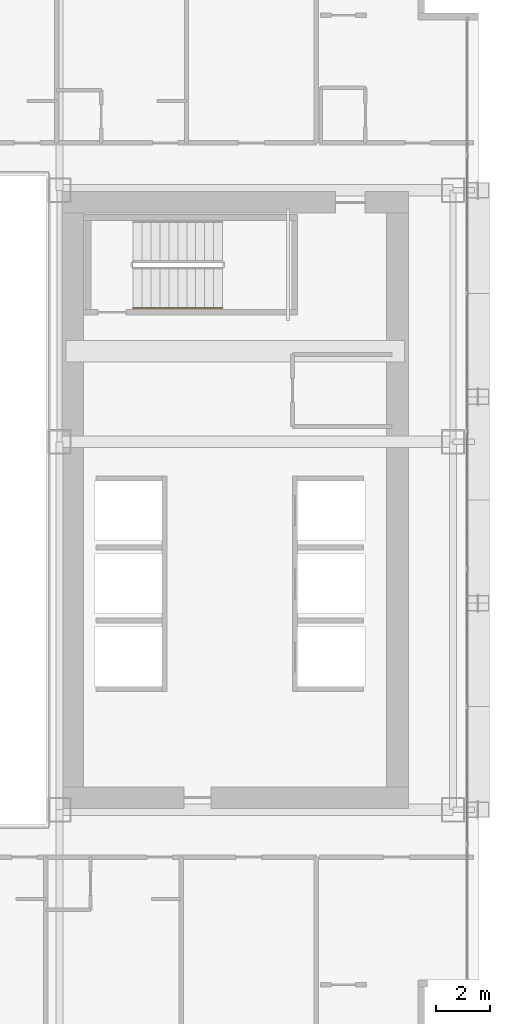
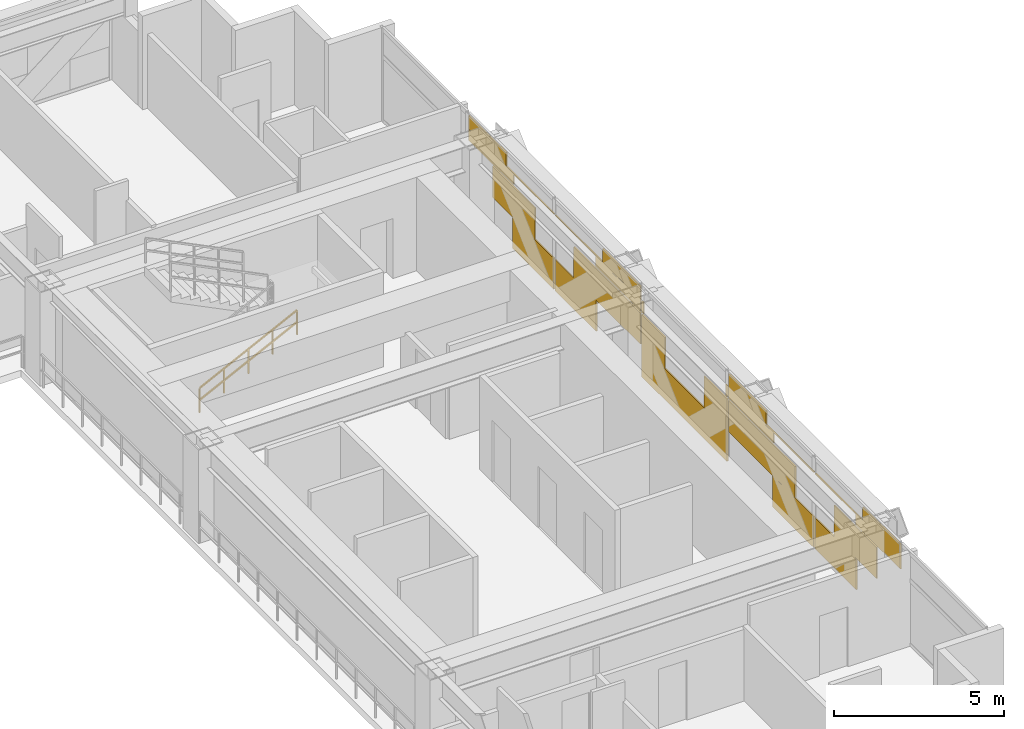
# One storey, part 37 of 38: 1 covering, 1 railing.
"""IFC4 building model written with IfcOpenShell, lengths in metres."""

from ifc_helpers import new_model, si_unit, direction, frame, origin, origin_2d, place, context, subcontext, project, spatial, rectangle, extrude, material, layer, layer_set, type_object, element, save


model = new_model("IFC4")

# Units and contexts
model_context = context("Model", 3, precision=1e-05, world=origin(), true_north=direction((0.0, 1.0)))
body_context = subcontext(model_context, "Body", "Model", "MODEL_VIEW")
ifc_project = project(units=[si_unit("LENGTHUNIT", "METRE"), si_unit("AREAUNIT", "SQUARE_METRE"), si_unit("VOLUMEUNIT", "CUBIC_METRE"), si_unit("PLANEANGLEUNIT", "RADIAN"), si_unit("MASSUNIT", "GRAM", prefix="KILO")], contexts=[model_context])

# Site, building, storey
site_placement = place(None, origin())
site = spatial("IfcSite", under=ifc_project, at=site_placement, CompositionType="ELEMENT")
building_placement = place(site_placement, origin())
building = spatial("IfcBuilding", under=site, at=building_placement, Name="Ocotamira Hotel", CompositionType="ELEMENT")
storey_placement = place(building_placement, frame((0.0, 0.0, 74.39990234375)))
storey = spatial("IfcBuildingStorey", under=building, at=storey_placement, Name="L18", CompositionType="ELEMENT", Elevation=74.39990234375)

# Covering
ifc_material_1 = material(Name="Insulated pale-metal aluminium spandrel panel", Category="aluminium")
ifc_layer = layer(ifc_material_1, 0.044921875)
ifc_layer_set = layer_set([ifc_layer], Name="Insulated pale-metal aluminium spandrel panel")
covering_type = type_object("IfcCoveringType", Name="COV-INFILL-45", PredefinedType="CLADDING", material=ifc_layer_set)
covering_placement = place(storey_placement, origin())
element("IfcCovering", 1, at=covering_placement, inside=storey, type_object=covering_type, Name="L18 Curtain Wall Infill CW-2 CW-L18-E", PredefinedType="CLADDING", context=body_context, shape_type="SweptSolid", body=[
    extrude(rectangle(XDim=2.49658203125, YDim=0.044921875, at=origin_2d()), frame((55.580078125, 15.977783203125, 1.1943359375), z_axis=(0.0, 0.0, 1.0), x_axis=(0.0, 1.0, 0.0)), (0.0, 0.0, 1.0), 1.117919921875),
    extrude(rectangle(XDim=2.415283203125, YDim=0.044921875, at=origin_2d()), frame((55.580078125, 17.123291015625, 0.07568359375), z_axis=(0.0, 0.0, 1.0), x_axis=(0.0, 1.0, 0.0)), (0.0, 0.0, 1.0), 1.117919921875),
    extrude(rectangle(XDim=2.634521484375, YDim=0.044921875, at=origin_2d()), frame((55.580078125, 14.6435546875, 2.38818359375), z_axis=(0.0, 0.0, 1.0), x_axis=(0.0, 1.0, 0.0)), (0.0, 0.0, 1.0), 0.366943359375),
    extrude(rectangle(XDim=5.004638671875, YDim=0.044921875, at=origin_2d()), frame((55.580078125, 15.82861328125, 2.756103515625), z_axis=(0.0, 0.0, 1.0), x_axis=(0.0, 1.0, 0.0)), (0.0, 0.0, 1.0), 0.033203125),
    extrude(rectangle(XDim=2.2080078125, YDim=0.044921875, at=origin_2d()), frame((55.580078125, 14.43017578125, 2.79052734375), z_axis=(0.0, 0.0, 1.0), x_axis=(0.0, 1.0, 0.0)), (0.0, 0.0, 1.0), 0.484130859375),
    extrude(rectangle(XDim=2.40576171875, YDim=0.044921875, at=origin_2d()), frame((55.580078125, 19.61474609375, 0.07568359375), z_axis=(0.0, 0.0, 1.0), x_axis=(0.0, 1.0, 0.0)), (0.0, 0.0, 1.0), 1.117919921875),
    extrude(rectangle(XDim=3.90966796875, YDim=0.044921875, at=origin_2d()), frame((55.580078125, 21.4619140625, 1.1943359375), z_axis=(0.0, 0.0, 1.0), x_axis=(0.0, 1.0, 0.0)), (0.0, 0.0, 1.0), 1.117919921875),
    extrude(rectangle(XDim=5.004638671875, YDim=0.044921875, at=origin_2d()), frame((55.580078125, 20.914306640625, 2.756103515625), z_axis=(0.0, 0.0, 1.0), x_axis=(0.0, 1.0, 0.0)), (0.0, 0.0, 1.0), 0.033203125),
    extrude(rectangle(XDim=2.64404296875, YDim=0.044921875, at=origin_2d()), frame((55.580078125, 22.094482421875, 2.38818359375), z_axis=(0.0, 0.0, 1.0), x_axis=(0.0, 1.0, 0.0)), (0.0, 0.0, 1.0), 0.366943359375),
    extrude(rectangle(XDim=2.217529296875, YDim=0.044921875, at=origin_2d()), frame((55.580078125, 22.307861328125, 2.79052734375), z_axis=(0.0, 0.0, 1.0), x_axis=(0.0, 1.0, 0.0)), (0.0, 0.0, 1.0), 0.484130859375),
    extrude(rectangle(XDim=5.004638671875, YDim=0.044921875, at=origin_2d()), frame((55.580078125, 26.0, 0.07568359375), z_axis=(0.0, 0.0, 1.0), x_axis=(0.0, 1.0, 0.0)), (0.0, 0.0, 1.0), 1.117919921875),
    extrude(rectangle(XDim=1.362060546875, YDim=0.044921875, at=origin_2d()), frame((55.580078125, 24.1787109375, 1.1943359375), z_axis=(0.0, 0.0, 1.0), x_axis=(0.0, 1.0, 0.0)), (0.0, 0.0, 1.0), 1.117919921875),
    extrude(rectangle(XDim=1.362060546875, YDim=0.044921875, at=origin_2d()), frame((55.580078125, 27.8212890625, 1.1943359375), z_axis=(0.0, 0.0, 1.0), x_axis=(0.0, 1.0, 0.0)), (0.0, 0.0, 1.0), 1.117919921875),
    extrude(rectangle(XDim=0.096435546875, YDim=0.044921875, at=origin_2d()), frame((55.580078125, 23.5458984375, 2.387939453125), z_axis=(0.0, 0.0, 1.0), x_axis=(0.0, 1.0, 0.0)), (0.0, 0.0, 1.0), 0.4013671875),
    extrude(rectangle(XDim=0.096435546875, YDim=0.044921875, at=origin_2d()), frame((55.580078125, 28.4541015625, 2.387939453125), z_axis=(0.0, 0.0, 1.0), x_axis=(0.0, 1.0, 0.0)), (0.0, 0.0, 1.0), 0.4013671875),
    extrude(rectangle(XDim=3.90966796875, YDim=0.044921875, at=origin_2d()), frame((55.580078125, 30.5380859375, 1.1943359375), z_axis=(0.0, 0.0, 1.0), x_axis=(0.0, 1.0, 0.0)), (0.0, 0.0, 1.0), 1.117919921875),
    extrude(rectangle(XDim=2.40576171875, YDim=0.044921875, at=origin_2d()), frame((55.580078125, 32.38525390625, 0.07568359375), z_axis=(0.0, 0.0, 1.0), x_axis=(0.0, 1.0, 0.0)), (0.0, 0.0, 1.0), 1.117919921875),
    extrude(rectangle(XDim=2.64404296875, YDim=0.044921875, at=origin_2d()), frame((55.580078125, 29.905517578125, 2.38818359375), z_axis=(0.0, 0.0, 1.0), x_axis=(0.0, 1.0, 0.0)), (0.0, 0.0, 1.0), 0.366943359375),
    extrude(rectangle(XDim=5.004638671875, YDim=0.044921875, at=origin_2d()), frame((55.580078125, 31.085693359375, 2.756103515625), z_axis=(0.0, 0.0, 1.0), x_axis=(0.0, 1.0, 0.0)), (0.0, 0.0, 1.0), 0.033203125),
    extrude(rectangle(XDim=2.217529296875, YDim=0.044921875, at=origin_2d()), frame((55.580078125, 29.692138671875, 2.79052734375), z_axis=(0.0, 0.0, 1.0), x_axis=(0.0, 1.0, 0.0)), (0.0, 0.0, 1.0), 0.484130859375),
    extrude(rectangle(XDim=2.415283203125, YDim=0.044921875, at=origin_2d()), frame((55.580078125, 34.876708984375, 0.07568359375), z_axis=(0.0, 0.0, 1.0), x_axis=(0.0, 1.0, 0.0)), (0.0, 0.0, 1.0), 1.117919921875),
    extrude(rectangle(XDim=2.49658203125, YDim=0.044921875, at=origin_2d()), frame((55.580078125, 36.022216796875, 1.1943359375), z_axis=(0.0, 0.0, 1.0), x_axis=(0.0, 1.0, 0.0)), (0.0, 0.0, 1.0), 1.117919921875),
    extrude(rectangle(XDim=5.004638671875, YDim=0.044921875, at=origin_2d()), frame((55.580078125, 36.17138671875, 2.756103515625), z_axis=(0.0, 0.0, 1.0), x_axis=(0.0, 1.0, 0.0)), (0.0, 0.0, 1.0), 0.033203125),
    extrude(rectangle(XDim=2.634521484375, YDim=0.044921875, at=origin_2d()), frame((55.580078125, 37.3564453125, 2.38818359375), z_axis=(0.0, 0.0, 1.0), x_axis=(0.0, 1.0, 0.0)), (0.0, 0.0, 1.0), 0.366943359375),
    extrude(rectangle(XDim=2.2080078125, YDim=0.044921875, at=origin_2d()), frame((55.580078125, 37.56982421875, 2.79052734375), z_axis=(0.0, 0.0, 1.0), x_axis=(0.0, 1.0, 0.0)), (0.0, 0.0, 1.0), 0.484130859375),
])

# Railing
ifc_material_2 = material(Name="Brushed stainless steel handrail", Category="steel")
railing_type = type_object("IfcRailingType", Name="RL-HAND-900", PredefinedType="HANDRAIL", material=ifc_material_2)
railing_placement = place(storey_placement, frame((43.22998046875, 33.10009765625, 0.327392578125)))
element("IfcRailing", 2, at=railing_placement, inside=storey, type_object=railing_type, Name="L18 ST-4 stair handrail 1", PredefinedType="HANDRAIL", context=body_context, shape_type="SweptSolid", body=[
    extrude(rectangle(XDim=0.048095703125, YDim=0.048095703125, at=origin_2d()), frame((0.0, 0.0, 0.8759765625), z_axis=(0.895920123917, 0.0, 0.444215186098), x_axis=(0.0, 1.0, 0.0)), (0.0, 0.0, 1.0), 3.683349609375),
    extrude(rectangle(XDim=0.048095703125, YDim=0.048095703125, at=origin_2d()), frame((0.0, 0.0, 0.449951171875), z_axis=(0.895920123917, 0.0, 0.444215186098), x_axis=(0.0, 1.0, 0.0)), (0.0, 0.0, 1.0), 3.683349609375),
    extrude(rectangle(XDim=0.0419921875, YDim=0.0419921875, at=origin_2d()), origin(), (0.0, 0.0, 1.0), 0.851806640625),
    extrude(rectangle(XDim=0.0419921875, YDim=0.0419921875, at=origin_2d()), frame((0.824951171875, 0.0, 0.4091796875)), (0.0, 0.0, 1.0), 0.851806640625),
    extrude(rectangle(XDim=0.0419921875, YDim=0.0419921875, at=origin_2d()), frame((1.64990234375, 0.0, 0.818115234375)), (0.0, 0.0, 1.0), 0.851806640625),
    extrude(rectangle(XDim=0.0419921875, YDim=0.0419921875, at=origin_2d()), frame((2.47509765625, 0.0, 1.22705078125)), (0.0, 0.0, 1.0), 0.851806640625),
    extrude(rectangle(XDim=0.0419921875, YDim=0.0419921875, at=origin_2d()), frame((3.300048828125, 0.0, 1.63623046875)), (0.0, 0.0, 1.0), 0.851806640625),
])

save(model, "model.ifc")
